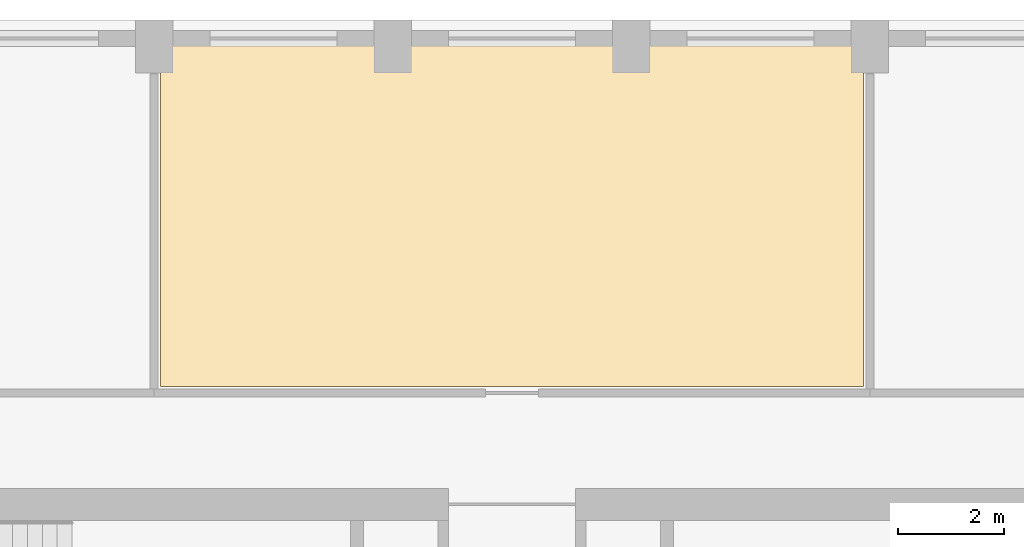
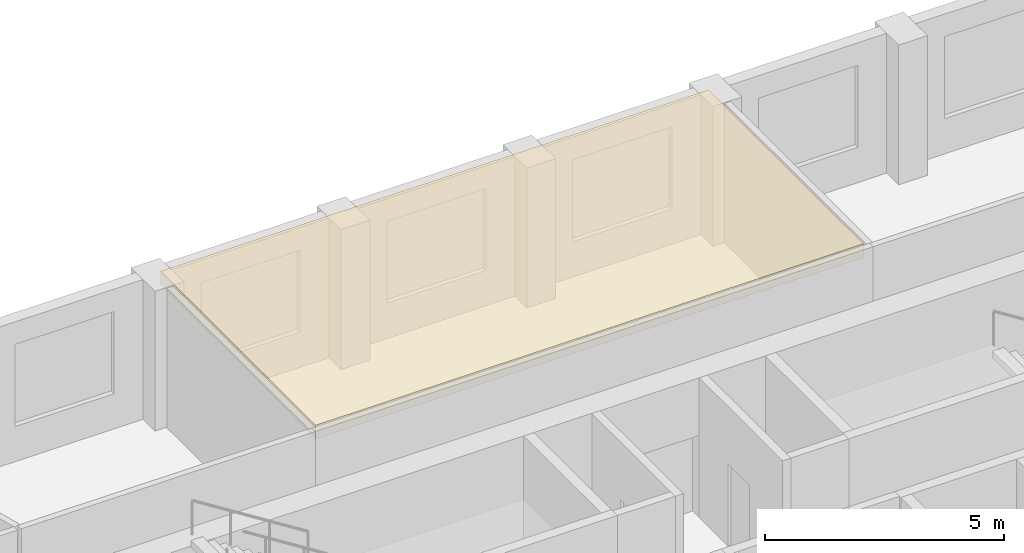
# One storey, part 10 of 10: 1 covering.
"""IFC4 building model written with IfcOpenShell, lengths in metres."""

from ifc_helpers import new_model, si_unit, direction, frame, origin, place, context, subcontext, project, spatial, polyline, outline, extrude, material, layer, layer_set, type_object, element, save


model = new_model("IFC4")

# Units and contexts
model_context = context("Model", 3, precision=1e-05, world=origin(), true_north=direction((0.0, 1.0)))
body_context = subcontext(model_context, "Body", "Model", "MODEL_VIEW")
ifc_project = project(units=[si_unit("LENGTHUNIT", "METRE"), si_unit("AREAUNIT", "SQUARE_METRE"), si_unit("VOLUMEUNIT", "CUBIC_METRE"), si_unit("PLANEANGLEUNIT", "RADIAN"), si_unit("MASSUNIT", "GRAM", prefix="KILO")], contexts=[model_context])

# Site, building, storey
site_placement = place(None, origin())
site = spatial("IfcSite", under=ifc_project, at=site_placement, CompositionType="ELEMENT")
building_placement = place(site_placement, origin())
building = spatial("IfcBuilding", under=site, at=building_placement, Name="Dhurran Vertical Campus", CompositionType="ELEMENT")
storey_placement = place(building_placement, frame((0.0, 0.0, 246.89990234375)))
storey = spatial("IfcBuildingStorey", under=building, at=storey_placement, Name="L61", CompositionType="ELEMENT", Elevation=246.89990234375)

# Covering
ifc_material = material(Name="Mineral fibre ceiling tiles on suspended grid")
ifc_layer = layer(ifc_material, 0.35009765625)
ifc_layer_set = layer_set([ifc_layer], Name="Mineral fibre ceiling tiles on suspended grid")
covering_type = type_object("IfcCoveringType", Name="fl-CE-350 suspended ceiling", PredefinedType="CEILING", material=ifc_layer_set)
covering_placement = place(storey_placement, frame((0.0, 0.0, 3.22509765625)))
element("IfcCovering", 1, at=covering_placement, inside=storey, type_object=covering_type, Name="Ceiling 61-07", PredefinedType="CEILING", context=body_context, shape_type="SweptSolid", body=[
    extrude(outline(polyline([(-6.6298828125, 19.66796875), (6.6298828125, 19.66796875), (6.6298828125, 13.169921875), (-6.6298828125, 13.169921875), (-6.6298828125, 19.66796875)])), origin(), (0.0, 0.0, 1.0), 0.35009765625),
])

save(model, "model.ifc")
